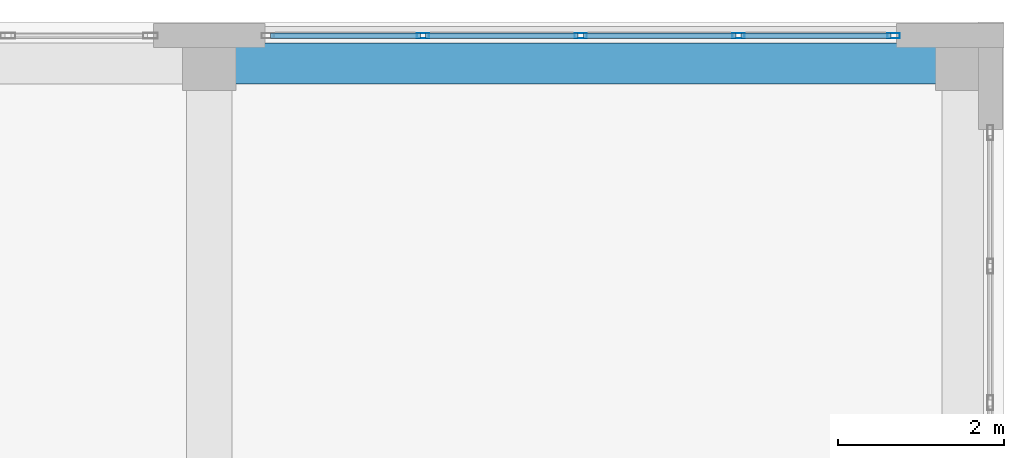
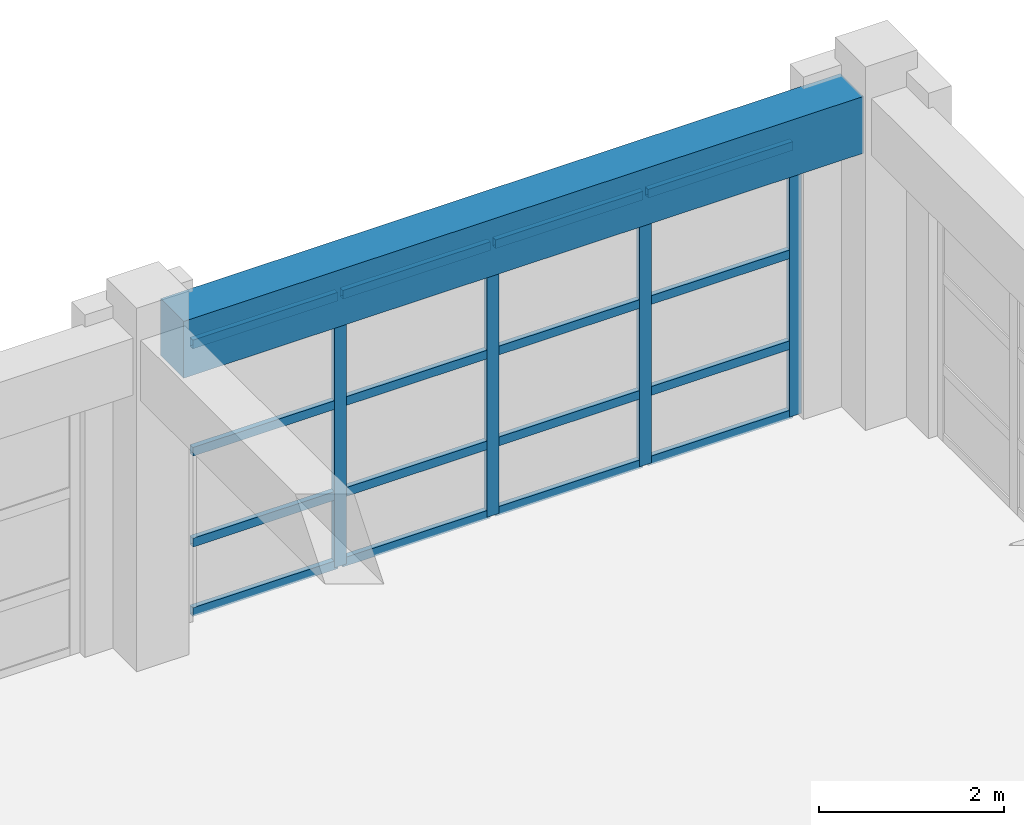
# One storey, part 86 of 123: 20 members, 1 beam, 1 element without a shape of its own.
"""IFC4 building model written with IfcOpenShell, lengths in metres."""

from ifc_helpers import new_model, si_unit, direction, frame, origin, origin_2d, place, context, subcontext, project, spatial, rectangle, hollow_rectangle, extrude, material, layer, layer_set, material_profile, profile_set, type_object, element, aggregate, save


model = new_model("IFC4")

# Units and contexts
model_context = context("Model", 3, precision=1e-05, world=origin(), true_north=direction((0.0, 1.0)))
body_context = subcontext(model_context, "Body", "Model", "MODEL_VIEW")
ifc_project = project(units=[si_unit("LENGTHUNIT", "METRE"), si_unit("AREAUNIT", "SQUARE_METRE"), si_unit("VOLUMEUNIT", "CUBIC_METRE"), si_unit("PLANEANGLEUNIT", "RADIAN"), si_unit("MASSUNIT", "GRAM", prefix="KILO")], contexts=[model_context])

# Site, building, storey
site_placement = place(None, origin())
site = spatial("IfcSite", under=ifc_project, at=site_placement, CompositionType="ELEMENT")
building_placement = place(site_placement, origin())
building = spatial("IfcBuilding", under=site, at=building_placement, Name="Quendrovan Civic Courthouse", CompositionType="ELEMENT")
storey_placement = place(building_placement, frame((0.0, 0.0, 5.39990234375)))
storey = spatial("IfcBuildingStorey", under=building, at=storey_placement, Name="L02", CompositionType="ELEMENT", Elevation=5.39990234375)

# Beam
ifc_material_1 = material(Name="Concrete C40/50", Category="concrete")
ifc_material_profile_1 = material_profile(ifc_material_1, rectangle(XDim=0.5, YDim=0.75, at=origin_2d()), Name="RC-BM-500x750")
ifc_profile_set_1 = profile_set([ifc_material_profile_1], Name="Concrete C40/50")
beam_type = type_object("IfcBeamType", Name="BM-RC750", PredefinedType="SPANDREL", material=ifc_profile_set_1)
beam_placement = place(storey_placement, frame((151.5048828125, 109.89990234375, 3.985107421875), z_axis=(1.0, 0.0, 0.0), x_axis=(0.0, 1.0, 0.0)))
element("IfcBeam", 1, at=beam_placement, inside=storey, type_object=beam_type, Name="L02 Girder X0604", PredefinedType="SPANDREL", context=body_context, shape_type="SweptSolid", body=[
    extrude(rectangle(XDim=0.5, YDim=0.75, at=origin_2d()), origin(), (0.0, 0.0, 1.0), 8.490234375),
])

# Curtain wall, members
ifc_material_2 = material(Name="Bronze anodised aluminium and low-E glass", Category="aluminium")
ifc_layer = layer(ifc_material_2, 0.179931640625, Name="Bronze anodised aluminium and low-E glass")
ifc_layer_set = layer_set([ifc_layer], Name="Bronze anodised aluminium and low-E glass")
curtain_wall_type = type_object("IfcCurtainWallType", Name="CW-U76x36", PredefinedType="USERDEFINED", material=ifc_layer_set)
curtain_wall_placement = place(storey_placement, origin())
curtain_wall = element("IfcCurtainWall", 2, at=curtain_wall_placement, inside=storey, type_object=curtain_wall_type, Name="L02 Unitised Hurricane Curtain Wall CW-095", ObjectType="UNITISED CURTAIN WALL", PredefinedType="USERDEFINED")
ifc_material_3 = material(Name="Bronze anodised aluminium", Category="aluminium")
ifc_material_profile_2 = material_profile(ifc_material_3, hollow_rectangle(XDim=0.06494140625, YDim=0.14990234375, WallThickness=0.00390625, at=origin_2d()), Name="CW-MULL-65x150")
ifc_profile_set_2 = profile_set([ifc_material_profile_2], Name="Bronze anodised aluminium")
member_type_1 = type_object("IfcMemberType", Name="CW-MULL-B", PredefinedType="MULLION", material=ifc_profile_set_2)
member_1_placement = place(storey_placement, frame((153.78125, 110.235107421875, 0.0), z_axis=(0.0, 0.0, 1.0), x_axis=(0.0, 1.0, 0.0)))
member_1 = element("IfcMember", 3, at=member_1_placement, type_object=member_type_1, Name="CW-095 mullion 2", PredefinedType="MULLION", context=body_context, shape_type="SweptSolid", body=[
    extrude(hollow_rectangle(XDim=0.06494140625, YDim=0.14990234375, WallThickness=0.00390625, at=origin_2d()), origin(), (0.0, 0.0, 1.0), 3.60009765625),
])
member_2_placement = place(storey_placement, frame((155.6875, 110.235107421875, 0.0), z_axis=(0.0, 0.0, 1.0), x_axis=(0.0, 1.0, 0.0)))
member_2 = element("IfcMember", 4, at=member_2_placement, type_object=member_type_1, Name="CW-095 mullion 3", PredefinedType="MULLION", context=body_context, shape_type="SweptSolid", body=[
    extrude(hollow_rectangle(XDim=0.06494140625, YDim=0.14990234375, WallThickness=0.00390625, at=origin_2d()), origin(), (0.0, 0.0, 1.0), 3.60009765625),
])
member_3_placement = place(storey_placement, frame((157.59375, 110.235107421875, 0.0), z_axis=(0.0, 0.0, 1.0), x_axis=(0.0, 1.0, 0.0)))
member_3 = element("IfcMember", 5, at=member_3_placement, type_object=member_type_1, Name="CW-095 mullion 4", PredefinedType="MULLION", context=body_context, shape_type="SweptSolid", body=[
    extrude(hollow_rectangle(XDim=0.06494140625, YDim=0.14990234375, WallThickness=0.00390625, at=origin_2d()), origin(), (0.0, 0.0, 1.0), 3.60009765625),
])
member_4_placement = place(storey_placement, frame((159.467529296875, 110.235107421875, 0.0), z_axis=(0.0, 0.0, 1.0), x_axis=(0.0, 1.0, 0.0)))
member_4 = element("IfcMember", 6, at=member_4_placement, type_object=member_type_1, Name="CW-095 mullion 5", PredefinedType="MULLION", context=body_context, shape_type="SweptSolid", body=[
    extrude(hollow_rectangle(XDim=0.06494140625, YDim=0.14990234375, WallThickness=0.00390625, at=origin_2d()), origin(), (0.0, 0.0, 1.0), 3.60009765625),
])
ifc_material_profile_3 = material_profile(ifc_material_3, hollow_rectangle(XDim=0.06494140625, YDim=0.114990234375, WallThickness=0.00390625, at=origin_2d()), Name="CW-TRAN-65x115")
ifc_profile_set_3 = profile_set([ifc_material_profile_3], Name="Bronze anodised aluminium")
member_type_2 = type_object("IfcMemberType", Name="CW-TRAN-B", PredefinedType="USERDEFINED", material=ifc_profile_set_3)
member_5_placement = place(storey_placement, frame((151.93994140625, 110.235107421875, 0.03271484375), z_axis=(1.0, 0.0, 0.0), x_axis=(0.0, 1.0, 0.0)))
member_5 = element("IfcMember", 7, at=member_5_placement, type_object=member_type_2, Name="CW-095 transom 1.1", ObjectType="TRANSOM", PredefinedType="USERDEFINED", context=body_context, shape_type="SweptSolid", body=[
    extrude(hollow_rectangle(XDim=0.06494140625, YDim=0.114990234375, WallThickness=0.00390625, at=origin_2d()), origin(), (0.0, 0.0, 1.0), 1.808837890625),
])
member_6_placement = place(storey_placement, frame((151.93994140625, 110.235107421875, 0.9501953125), z_axis=(1.0, 0.0, 0.0), x_axis=(0.0, 1.0, 0.0)))
member_6 = element("IfcMember", 8, at=member_6_placement, type_object=member_type_2, Name="CW-095 transom 1.2", ObjectType="TRANSOM", PredefinedType="USERDEFINED", context=body_context, shape_type="SweptSolid", body=[
    extrude(hollow_rectangle(XDim=0.06494140625, YDim=0.114990234375, WallThickness=0.00390625, at=origin_2d()), origin(), (0.0, 0.0, 1.0), 1.808837890625),
])
member_7_placement = place(storey_placement, frame((151.93994140625, 110.235107421875, 2.150146484375), z_axis=(1.0, 0.0, 0.0), x_axis=(0.0, 1.0, 0.0)))
member_7 = element("IfcMember", 9, at=member_7_placement, type_object=member_type_2, Name="CW-095 transom 1.3", ObjectType="TRANSOM", PredefinedType="USERDEFINED", context=body_context, shape_type="SweptSolid", body=[
    extrude(hollow_rectangle(XDim=0.06494140625, YDim=0.114990234375, WallThickness=0.00390625, at=origin_2d()), origin(), (0.0, 0.0, 1.0), 1.808837890625),
])
member_8_placement = place(storey_placement, frame((151.93994140625, 110.235107421875, 3.567626953125), z_axis=(1.0, 0.0, 0.0), x_axis=(0.0, 1.0, 0.0)))
member_8 = element("IfcMember", 10, at=member_8_placement, type_object=member_type_2, Name="CW-095 transom 1.4", ObjectType="TRANSOM", PredefinedType="USERDEFINED", context=body_context, shape_type="SweptSolid", body=[
    extrude(hollow_rectangle(XDim=0.06494140625, YDim=0.114990234375, WallThickness=0.00390625, at=origin_2d()), origin(), (0.0, 0.0, 1.0), 1.808837890625),
])
member_9_placement = place(storey_placement, frame((153.813720703125, 110.235107421875, 0.03271484375), z_axis=(1.0, 0.0, 0.0), x_axis=(0.0, 1.0, 0.0)))
member_9 = element("IfcMember", 11, at=member_9_placement, type_object=member_type_2, Name="CW-095 transom 2.1", ObjectType="TRANSOM", PredefinedType="USERDEFINED", context=body_context, shape_type="SweptSolid", body=[
    extrude(hollow_rectangle(XDim=0.06494140625, YDim=0.114990234375, WallThickness=0.00390625, at=origin_2d()), origin(), (0.0, 0.0, 1.0), 1.84130859375),
])
member_10_placement = place(storey_placement, frame((153.813720703125, 110.235107421875, 0.9501953125), z_axis=(1.0, 0.0, 0.0), x_axis=(0.0, 1.0, 0.0)))
member_10 = element("IfcMember", 12, at=member_10_placement, type_object=member_type_2, Name="CW-095 transom 2.2", ObjectType="TRANSOM", PredefinedType="USERDEFINED", context=body_context, shape_type="SweptSolid", body=[
    extrude(hollow_rectangle(XDim=0.06494140625, YDim=0.114990234375, WallThickness=0.00390625, at=origin_2d()), origin(), (0.0, 0.0, 1.0), 1.84130859375),
])
member_11_placement = place(storey_placement, frame((153.813720703125, 110.235107421875, 2.150146484375), z_axis=(1.0, 0.0, 0.0), x_axis=(0.0, 1.0, 0.0)))
member_11 = element("IfcMember", 13, at=member_11_placement, type_object=member_type_2, Name="CW-095 transom 2.3", ObjectType="TRANSOM", PredefinedType="USERDEFINED", context=body_context, shape_type="SweptSolid", body=[
    extrude(hollow_rectangle(XDim=0.06494140625, YDim=0.114990234375, WallThickness=0.00390625, at=origin_2d()), origin(), (0.0, 0.0, 1.0), 1.84130859375),
])
member_12_placement = place(storey_placement, frame((153.813720703125, 110.235107421875, 3.567626953125), z_axis=(1.0, 0.0, 0.0), x_axis=(0.0, 1.0, 0.0)))
member_12 = element("IfcMember", 14, at=member_12_placement, type_object=member_type_2, Name="CW-095 transom 2.4", ObjectType="TRANSOM", PredefinedType="USERDEFINED", context=body_context, shape_type="SweptSolid", body=[
    extrude(hollow_rectangle(XDim=0.06494140625, YDim=0.114990234375, WallThickness=0.00390625, at=origin_2d()), origin(), (0.0, 0.0, 1.0), 1.84130859375),
])
member_13_placement = place(storey_placement, frame((155.719970703125, 110.235107421875, 0.03271484375), z_axis=(1.0, 0.0, 0.0), x_axis=(0.0, 1.0, 0.0)))
member_13 = element("IfcMember", 15, at=member_13_placement, type_object=member_type_2, Name="CW-095 transom 3.1", ObjectType="TRANSOM", PredefinedType="USERDEFINED", context=body_context, shape_type="SweptSolid", body=[
    extrude(hollow_rectangle(XDim=0.06494140625, YDim=0.114990234375, WallThickness=0.00390625, at=origin_2d()), origin(), (0.0, 0.0, 1.0), 1.84130859375),
])
member_14_placement = place(storey_placement, frame((155.719970703125, 110.235107421875, 0.9501953125), z_axis=(1.0, 0.0, 0.0), x_axis=(0.0, 1.0, 0.0)))
member_14 = element("IfcMember", 16, at=member_14_placement, type_object=member_type_2, Name="CW-095 transom 3.2", ObjectType="TRANSOM", PredefinedType="USERDEFINED", context=body_context, shape_type="SweptSolid", body=[
    extrude(hollow_rectangle(XDim=0.06494140625, YDim=0.114990234375, WallThickness=0.00390625, at=origin_2d()), origin(), (0.0, 0.0, 1.0), 1.84130859375),
])
member_15_placement = place(storey_placement, frame((155.719970703125, 110.235107421875, 2.150146484375), z_axis=(1.0, 0.0, 0.0), x_axis=(0.0, 1.0, 0.0)))
member_15 = element("IfcMember", 17, at=member_15_placement, type_object=member_type_2, Name="CW-095 transom 3.3", ObjectType="TRANSOM", PredefinedType="USERDEFINED", context=body_context, shape_type="SweptSolid", body=[
    extrude(hollow_rectangle(XDim=0.06494140625, YDim=0.114990234375, WallThickness=0.00390625, at=origin_2d()), origin(), (0.0, 0.0, 1.0), 1.84130859375),
])
member_16_placement = place(storey_placement, frame((155.719970703125, 110.235107421875, 3.567626953125), z_axis=(1.0, 0.0, 0.0), x_axis=(0.0, 1.0, 0.0)))
member_16 = element("IfcMember", 18, at=member_16_placement, type_object=member_type_2, Name="CW-095 transom 3.4", ObjectType="TRANSOM", PredefinedType="USERDEFINED", context=body_context, shape_type="SweptSolid", body=[
    extrude(hollow_rectangle(XDim=0.06494140625, YDim=0.114990234375, WallThickness=0.00390625, at=origin_2d()), origin(), (0.0, 0.0, 1.0), 1.84130859375),
])
member_17_placement = place(storey_placement, frame((157.626220703125, 110.235107421875, 0.03271484375), z_axis=(1.0, 0.0, 0.0), x_axis=(0.0, 1.0, 0.0)))
member_17 = element("IfcMember", 19, at=member_17_placement, type_object=member_type_2, Name="CW-095 transom 4.1", ObjectType="TRANSOM", PredefinedType="USERDEFINED", context=body_context, shape_type="SweptSolid", body=[
    extrude(hollow_rectangle(XDim=0.06494140625, YDim=0.114990234375, WallThickness=0.00390625, at=origin_2d()), origin(), (0.0, 0.0, 1.0), 1.808837890625),
])
member_18_placement = place(storey_placement, frame((157.626220703125, 110.235107421875, 0.9501953125), z_axis=(1.0, 0.0, 0.0), x_axis=(0.0, 1.0, 0.0)))
member_18 = element("IfcMember", 20, at=member_18_placement, type_object=member_type_2, Name="CW-095 transom 4.2", ObjectType="TRANSOM", PredefinedType="USERDEFINED", context=body_context, shape_type="SweptSolid", body=[
    extrude(hollow_rectangle(XDim=0.06494140625, YDim=0.114990234375, WallThickness=0.00390625, at=origin_2d()), origin(), (0.0, 0.0, 1.0), 1.808837890625),
])
member_19_placement = place(storey_placement, frame((157.626220703125, 110.235107421875, 2.150146484375), z_axis=(1.0, 0.0, 0.0), x_axis=(0.0, 1.0, 0.0)))
member_19 = element("IfcMember", 21, at=member_19_placement, type_object=member_type_2, Name="CW-095 transom 4.3", ObjectType="TRANSOM", PredefinedType="USERDEFINED", context=body_context, shape_type="SweptSolid", body=[
    extrude(hollow_rectangle(XDim=0.06494140625, YDim=0.114990234375, WallThickness=0.00390625, at=origin_2d()), origin(), (0.0, 0.0, 1.0), 1.808837890625),
])
member_20_placement = place(storey_placement, frame((157.626220703125, 110.235107421875, 3.567626953125), z_axis=(1.0, 0.0, 0.0), x_axis=(0.0, 1.0, 0.0)))
member_20 = element("IfcMember", 22, at=member_20_placement, type_object=member_type_2, Name="CW-095 transom 4.4", ObjectType="TRANSOM", PredefinedType="USERDEFINED", context=body_context, shape_type="SweptSolid", body=[
    extrude(hollow_rectangle(XDim=0.06494140625, YDim=0.114990234375, WallThickness=0.00390625, at=origin_2d()), origin(), (0.0, 0.0, 1.0), 1.808837890625),
])
aggregate(curtain_wall, [member_1, member_2, member_3, member_4, member_5, member_6, member_7, member_8, member_9, member_10, member_11, member_12, member_13, member_14, member_15, member_16, member_17, member_18, member_19, member_20])

save(model, "model.ifc")
